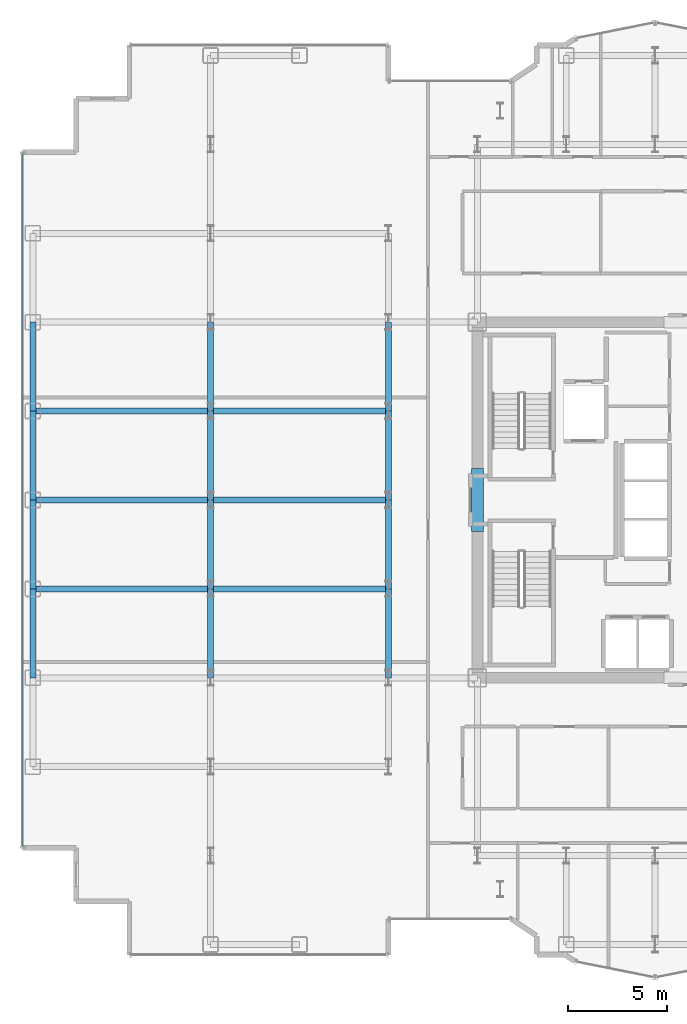
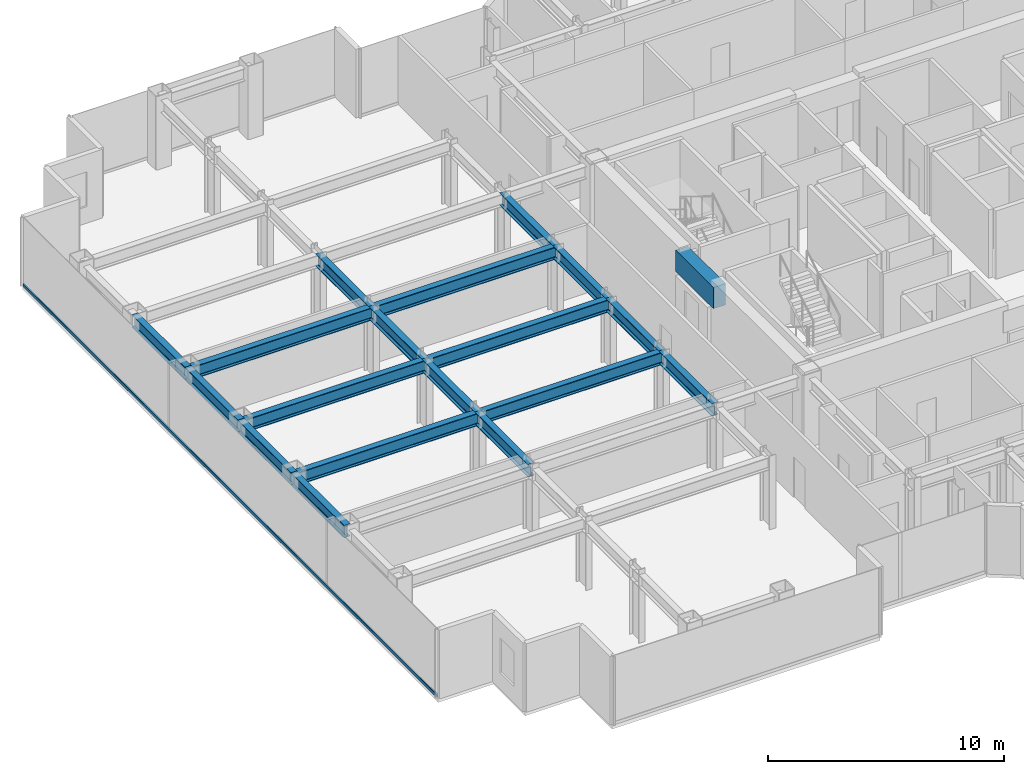
# One storey, part 6 of 23: 19 beams, 1 member, 1 element without a shape of its own.
"""IFC4 building model written with IfcOpenShell, lengths in metres."""

from ifc_helpers import new_model, si_unit, direction, frame, origin, origin_2d, place, context, subcontext, project, spatial, rectangle, hollow_rectangle, i_section, extrude, source, transform, mapped, material, layer, layer_set, material_profile, profile_set, type_object, element, aggregate, save


model = new_model("IFC4")

# Units and contexts
model_context = context("Model", 3, precision=1e-05, world=origin(), true_north=direction((0.0, 1.0)))
body_context = subcontext(model_context, "Body", "Model", "MODEL_VIEW")
ifc_project = project(units=[si_unit("LENGTHUNIT", "METRE"), si_unit("AREAUNIT", "SQUARE_METRE"), si_unit("VOLUMEUNIT", "CUBIC_METRE"), si_unit("PLANEANGLEUNIT", "RADIAN"), si_unit("MASSUNIT", "GRAM", prefix="KILO")], contexts=[model_context])

# Site, building, storey
site_placement = place(None, origin())
site = spatial("IfcSite", under=ifc_project, at=site_placement, CompositionType="ELEMENT")
building_placement = place(site_placement, origin())
building = spatial("IfcBuilding", under=site, at=building_placement, Name="Nefas-Gora Pilgrimage Tower", CompositionType="ELEMENT")
storey_placement = place(building_placement, frame((0.0, 0.0, 152.60009765625)))
storey = spatial("IfcBuildingStorey", under=building, at=storey_placement, Name="L37", CompositionType="ELEMENT", Elevation=152.60009765625)

# Beams
ifc_material_1 = material(Name="Concrete C60/75", Category="concrete")
ifc_material_profile_1 = material_profile(ifc_material_1, rectangle(XDim=0.60009765625, YDim=1.10009765625, at=origin_2d()), Name="RC 600x1100")
ifc_profile_set_1 = profile_set([ifc_material_profile_1], Name="Concrete C60/75")
beam_type_1 = type_object("IfcBeamType", Name="BM-LIN-RC1100", PredefinedType="LINTEL", material=ifc_profile_set_1)
shared_shape_1 = source(origin(), body_context, "Body", "SweptSolid", [
    extrude(rectangle(XDim=0.60009765625, YDim=1.10009765625, at=origin_2d()), origin(), (0.0, 0.0, 1.0), 3.2001953125),
])
beam_placement = place(storey_placement, frame((-11.25, -1.60009765625, 3.0), z_axis=(0.0, 1.0, 0.0), x_axis=(-1.0, 0.0, 0.0)))
element("IfcBeam", 1, at=beam_placement, inside=storey, type_object=beam_type_1, Name="L37 Core Coupling Lintel Beam W", PredefinedType="LINTEL", context=body_context, shape_type="MappedRepresentation", body=[
    mapped(shared_shape_1, transform((0.0, 0.0, 0.0), x_axis=(1.0, 0.0, 0.0), y_axis=(0.0, 1.0, 0.0), z_axis=(0.0, 0.0, 1.0), scale=1.0)),
])
ifc_material_2 = material(Name="Steel S355", Category="steel")
ifc_material_profile_2 = material_profile(ifc_material_2, i_section(OverallWidth=0.300048828125, OverallDepth=0.64990234375, WebThickness=0.01611328125, FlangeThickness=0.031005859375, FilletRadius=0.027099609375, at=origin_2d()), Name="HEB 650")
ifc_profile_set_2 = profile_set([ifc_material_profile_2], Name="Steel S355")
beam_type_2 = type_object("IfcBeamType", Name="BM-SPN-HEB500", PredefinedType="SPANDREL", material=ifc_profile_set_2)
shared_shape_2 = source(origin(), body_context, "Body", "SweptSolid", [
    extrude(i_section(OverallWidth=0.300048828125, OverallDepth=0.64990234375, WebThickness=0.01611328125, FlangeThickness=0.031005859375, FilletRadius=0.027099609375, at=origin_2d()), origin(), (0.0, 0.0, 1.0), 4.5),
])
for number, where, z_axis, x_axis, name in (
    (2, (-33.75, -9.0, 3.224853515625), (0.0, 1.0, 0.0), (-1.0, 0.0, 0.0), "L37 SP-02 beam"),
    (3, (-33.75, -4.5, 3.224853515625), (0.0, 1.0, 0.0), (-1.0, 0.0, 0.0), "L37 SP-02 beam"),
    (4, (-33.75, 0.0, 3.224853515625), (0.0, 1.0, 0.0), (-1.0, 0.0, 0.0), "L37 SP-02 beam"),
    (5, (-33.75, 4.5, 3.224853515625), (0.0, 1.0, 0.0), (-1.0, 0.0, 0.0), "L37 SP-02 beam"),
):
    element("IfcBeam", number, at=place(storey_placement, frame(where, z_axis=z_axis, x_axis=x_axis)), inside=storey, type_object=beam_type_2, Name=name, PredefinedType="SPANDREL", context=body_context, shape_type="MappedRepresentation", body=[
        mapped(shared_shape_2, transform((0.0, 0.0, 0.0), x_axis=(1.0, 0.0, 0.0), y_axis=(0.0, 1.0, 0.0), z_axis=(0.0, 0.0, 1.0), scale=1.0)),
    ])
ifc_material_profile_3 = material_profile(ifc_material_2, i_section(OverallWidth=0.300048828125, OverallDepth=0.64990234375, WebThickness=0.01611328125, FlangeThickness=0.031005859375, FilletRadius=0.027099609375, at=origin_2d()), Name="HEB 650")
ifc_profile_set_3 = profile_set([ifc_material_profile_3], Name="Steel S355")
beam_type_3 = type_object("IfcBeamType", Name="BM-GIR-HEB650", PredefinedType="BEAM", material=ifc_profile_set_3)
shared_shape_3 = source(origin(), body_context, "Body", "SweptSolid", [
    extrude(i_section(OverallWidth=0.300048828125, OverallDepth=0.64990234375, WebThickness=0.01611328125, FlangeThickness=0.031005859375, FilletRadius=0.027099609375, at=origin_2d()), origin(), (0.0, 0.0, 1.0), 9.0),
])
for number, where, z_axis, x_axis, name in (
    (6, (-33.75, -4.5, 3.224853515625), (1.0, 0.0, 0.0), (0.0, 1.0, 0.0), "L37 G-03 beam"),
    (7, (-33.75, 0.0, 3.224853515625), (1.0, 0.0, 0.0), (0.0, 1.0, 0.0), "L37 G-03 beam"),
    (8, (-33.75, 4.5, 3.224853515625), (1.0, 0.0, 0.0), (0.0, 1.0, 0.0), "L37 G-03 beam"),
    (9, (-24.75, -4.5, 3.224853515625), (1.0, 0.0, 0.0), (0.0, 1.0, 0.0), "L37 G-03 beam"),
    (10, (-24.75, 0.0, 3.224853515625), (1.0, 0.0, 0.0), (0.0, 1.0, 0.0), "L37 G-03 beam"),
    (11, (-24.75, 4.5, 3.224853515625), (1.0, 0.0, 0.0), (0.0, 1.0, 0.0), "L37 G-03 beam"),
):
    element("IfcBeam", number, at=place(storey_placement, frame(where, z_axis=z_axis, x_axis=x_axis)), inside=storey, type_object=beam_type_3, Name=name, PredefinedType="BEAM", context=body_context, shape_type="MappedRepresentation", body=[
        mapped(shared_shape_3, transform((0.0, 0.0, 0.0), x_axis=(1.0, 0.0, 0.0), y_axis=(0.0, 1.0, 0.0), z_axis=(0.0, 0.0, 1.0), scale=1.0)),
    ])
shared_shape_4 = source(origin(), body_context, "Body", "SweptSolid", [
    extrude(i_section(OverallWidth=0.300048828125, OverallDepth=0.64990234375, WebThickness=0.01611328125, FlangeThickness=0.031005859375, FilletRadius=0.027099609375, at=origin_2d()), origin(), (0.0, 0.0, 1.0), 4.5),
])
for number, where, z_axis, x_axis, name in (
    (12, (-24.75, -9.0, 3.224853515625), (0.0, 1.0, 0.0), (-1.0, 0.0, 0.0), "L37 G-03 beam"),
    (13, (-24.75, -4.5, 3.224853515625), (0.0, 1.0, 0.0), (-1.0, 0.0, 0.0), "L37 G-03 beam"),
    (14, (-24.75, 0.0, 3.224853515625), (0.0, 1.0, 0.0), (-1.0, 0.0, 0.0), "L37 G-03 beam"),
    (15, (-24.75, 4.5, 3.224853515625), (0.0, 1.0, 0.0), (-1.0, 0.0, 0.0), "L37 G-03 beam"),
    (16, (-15.75, -9.0, 3.224853515625), (0.0, 1.0, 0.0), (-1.0, 0.0, 0.0), "L37 G-03 beam"),
    (17, (-15.75, -4.5, 3.224853515625), (0.0, 1.0, 0.0), (-1.0, 0.0, 0.0), "L37 G-03 beam"),
    (18, (-15.75, 0.0, 3.224853515625), (0.0, 1.0, 0.0), (-1.0, 0.0, 0.0), "L37 G-03 beam"),
    (19, (-15.75, 4.5, 3.224853515625), (0.0, 1.0, 0.0), (-1.0, 0.0, 0.0), "L37 G-03 beam"),
):
    element("IfcBeam", number, at=place(storey_placement, frame(where, z_axis=z_axis, x_axis=x_axis)), inside=storey, type_object=beam_type_3, Name=name, PredefinedType="BEAM", context=body_context, shape_type="MappedRepresentation", body=[
        mapped(shared_shape_4, transform((0.0, 0.0, 0.0), x_axis=(1.0, 0.0, 0.0), y_axis=(0.0, 1.0, 0.0), z_axis=(0.0, 0.0, 1.0), scale=1.0)),
    ])

# Curtain wall, member
ifc_material_3 = material(Name="Dark ceramic-fritted solar-control aluminium-glass curtain wall", Category="aluminium")
ifc_layer = layer(ifc_material_3, 0.219970703125)
ifc_layer_set = layer_set([ifc_layer], Name="Dark ceramic-fritted solar-control aluminium-glass curtain wall")
curtain_wall_type = type_object("IfcCurtainWallType", Name="CW-SYS-3", PredefinedType="NOTDEFINED", material=ifc_layer_set)
curtain_wall_placement = place(storey_placement, origin())
curtain_wall = element("IfcCurtainWall", 20, at=curtain_wall_placement, inside=storey, type_object=curtain_wall_type, Name="L37 Unitised Curtain Wall CW3", PredefinedType="NOTDEFINED")
ifc_material_4 = material(Name="Anodised architectural aluminium", Category="aluminium")
ifc_material_profile_4 = material_profile(ifc_material_4, hollow_rectangle(XDim=0.080078125, YDim=0.159912109375, WallThickness=0.00439453125, InnerFilletRadius=0.00439453125, OuterFilletRadius=0.009033203125, at=origin_2d()), Name="ALU TRANSOM 80x160")
ifc_profile_set_4 = profile_set([ifc_material_profile_4], Name="Anodised architectural aluminium")
member_type = type_object("IfcMemberType", Name="CWM-TRN-3", PredefinedType="USERDEFINED", material=ifc_profile_set_4)
shared_shape_5 = source(origin(), body_context, "Body", "SweptSolid", [
    extrude(hollow_rectangle(XDim=0.080078125, YDim=0.159912109375, WallThickness=0.00439453125, InnerFilletRadius=0.00439453125, OuterFilletRadius=0.009033203125, at=origin_2d()), origin(), (0.0, 0.0, 1.0), 35.06005859375),
])
member_placement = place(storey_placement, frame((-34.27001953125, 17.530029296875, 0.0498046875), z_axis=(0.0, -1.0, 0.0), x_axis=(1.0, 0.0, 0.0)))
member = element("IfcMember", 21, at=member_placement, type_object=member_type, Name="CW3 Spandrel Transom", ObjectType="TRANSOM", PredefinedType="USERDEFINED", context=body_context, shape_type="MappedRepresentation", body=[
    mapped(shared_shape_5, transform((0.0, 0.0, 0.0), x_axis=(1.0, 0.0, 0.0), y_axis=(0.0, 1.0, 0.0), z_axis=(0.0, 0.0, 1.0), scale=1.0)),
])
aggregate(curtain_wall, [member])

save(model, "model.ifc")
